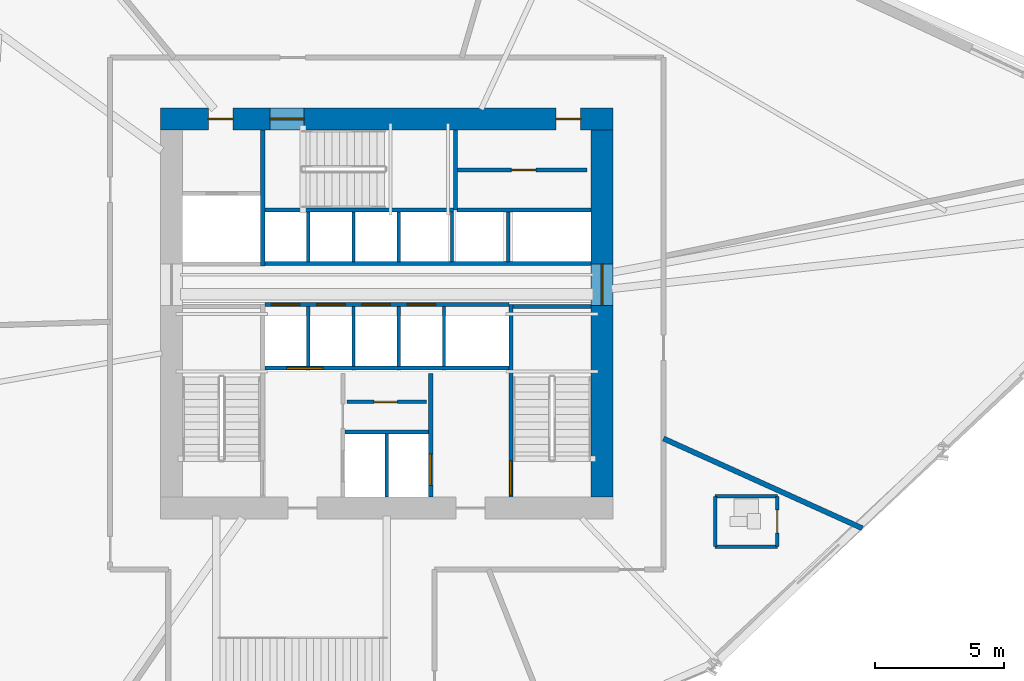
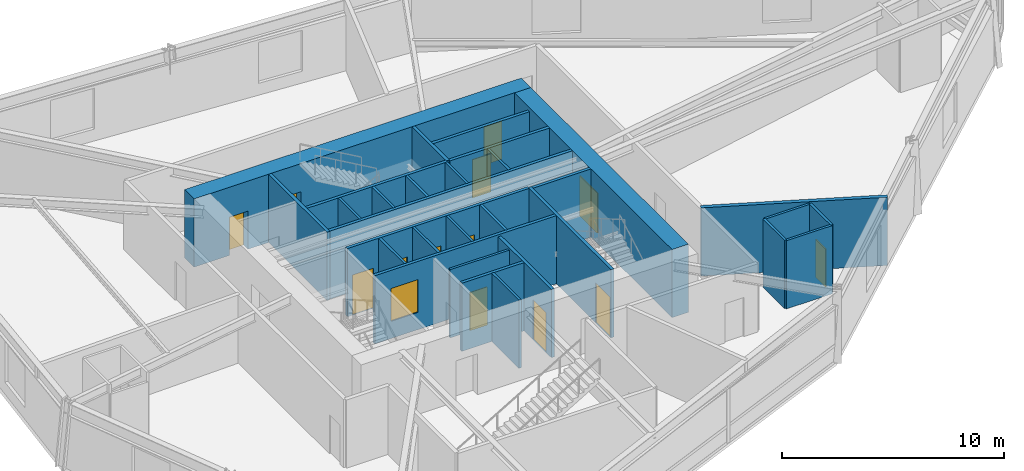
# One storey, part 14 of 19: 30 walls, 13 doors, 1 window, 14 openings.
"""IFC4 building model written with IfcOpenShell, lengths in metres."""

import ifcopenshell
import ifcopenshell.guid

model = None  # the IFC model being written
_history = None  # IfcOwnerHistory: only IFC2X3 demands one
_inside = {}  # id of a spatial element -> (the spatial element, [elements in it])
_under = {}  # id of a project, library or spatial element -> (it, [spatial elements below it])
_declared = {}  # id of a project -> (the project, [libraries it declares])
_typed = {}  # id of a type object -> (the type object, [elements of that type])
_made_of = {}  # id of a material, layer set ... -> (it, [elements and type objects made of it])


def new_model(schema):
    """Start an empty IFC model of exactly this schema.

    Asked for "IFC4X3", IfcOpenShell would pick the latest addendum, in which some entities
    have other attributes; the version numbers below select the first issue.
    IFC2X3 requires an IfcOwnerHistory on every rooted entity: one is made here for all.
    """
    global model, _history
    if schema == "IFC4X3":
        model = ifcopenshell.file(schema_version=(4, 3, 0, 0))
    else:
        model = ifcopenshell.file(schema=schema)
    _inside.clear()
    _under.clear()
    _declared.clear()
    _typed.clear()
    _made_of.clear()
    _history = None
    if model.schema == "IFC2X3":
        org = make("IfcOrganization", Name="unknown")
        user = make(
            "IfcPersonAndOrganization",
            ThePerson=make("IfcPerson", FamilyName="unknown"),
            TheOrganization=org,
        )
        app = make(
            "IfcApplication",
            ApplicationDeveloper=org,
            Version="unknown",
            ApplicationFullName="unknown",
            ApplicationIdentifier="unknown",
        )
        _history = make(
            "IfcOwnerHistory",
            OwningUser=user,
            OwningApplication=app,
            ChangeAction="ADDED",
            CreationDate=0,
        )
    return model


def make(cls, **values):
    """One entity of the class cls with the attributes given. An attribute that is None is left unset."""
    return model.create_entity(
        cls, **{name: value for name, value in values.items() if value is not None}
    )


def rooted(cls, **values):
    """An entity with a GlobalId (a new one), such as an element, a storey or a relation."""
    return make(cls, GlobalId=ifcopenshell.guid.new(), OwnerHistory=_history, **values)


def si_unit(unit_type, name, prefix=None):
    """IfcSIUnit, for example si_unit("LENGTHUNIT", "METRE", prefix="MILLI")."""
    return make("IfcSIUnit", UnitType=unit_type, Prefix=prefix, Name=name)


def assignment(units):
    """IfcUnitAssignment: the units of a project."""
    return None if units is None else make("IfcUnitAssignment", Units=units)


def point(xyz):
    """IfcCartesianPoint."""
    return None if xyz is None else make("IfcCartesianPoint", Coordinates=xyz)


def direction(xyz):
    """IfcDirection."""
    return None if xyz is None else make("IfcDirection", DirectionRatios=xyz)


def frame(location, z_axis=None, x_axis=None):
    """IfcAxis2Placement3D, a coordinate frame: its origin and axes. An axis left out is left unset."""
    return make(
        "IfcAxis2Placement3D",
        Location=point(location),
        Axis=direction(z_axis),
        RefDirection=direction(x_axis),
    )


def frame_2d(location, x_axis=None):
    """IfcAxis2Placement2D, a coordinate frame in the plane: its origin and x axis."""
    return make(
        "IfcAxis2Placement2D", Location=point(location), RefDirection=direction(x_axis)
    )


def origin():
    """The frame at (0, 0, 0) with its axes left unset."""
    return frame((0.0, 0.0, 0.0))


def place(relative_to, where):
    """IfcLocalPlacement: puts the frame where relative to a parent placement (None: the world)."""
    return make(
        "IfcLocalPlacement", PlacementRelTo=relative_to, RelativePlacement=where
    )


def context(
    kind, dimensions, precision=None, world=None, true_north=None, identifier=None
):
    """IfcGeometricRepresentationContext, for example the 3D "Model" context."""
    return make(
        "IfcGeometricRepresentationContext",
        ContextIdentifier=identifier,
        ContextType=kind,
        CoordinateSpaceDimension=dimensions,
        Precision=precision,
        WorldCoordinateSystem=world,
        TrueNorth=true_north,
    )


def subcontext(parent, identifier, kind, view, scale=None):
    """IfcGeometricRepresentationSubContext, for example "Body" below "Model"."""
    return make(
        "IfcGeometricRepresentationSubContext",
        ContextIdentifier=identifier,
        ContextType=kind,
        ParentContext=parent,
        TargetScale=scale,
        TargetView=view,
    )


def project(units=None, contexts=None):
    """IfcProject with its units and contexts."""
    return rooted(
        "IfcProject",
        Name="project",
        RepresentationContexts=contexts,
        UnitsInContext=assignment(units),
    )


def spatial(cls, under=None, at=None, **own):
    """A site, building, storey or space (cls), placed at a placement, below another one or the project."""
    s = rooted(cls, ObjectPlacement=at, **own)
    if under is not None:
        _under.setdefault(under.id(), (under, []))[1].append(s)
    return s


def profile(cls, at=None, kind="AREA", **sizes):
    """A parametric profile (cls). Its sizes go by their IFC names, for example OverallWidth=200.0."""
    return make(cls, ProfileType=kind, Position=at, **sizes)


def rectangle(**sizes):
    """IfcRectangleProfileDef."""
    return profile("IfcRectangleProfileDef", **sizes)


def extrude(swept, where, along, depth):
    """IfcExtrudedAreaSolid: the profile swept, set in the frame where, extruded along a direction by depth."""
    return make(
        "IfcExtrudedAreaSolid",
        SweptArea=swept,
        Position=where,
        ExtrudedDirection=direction(along),
        Depth=depth,
    )


def shape(context_of_items, identifier, shape_type, items):
    """IfcShapeRepresentation: the items that make up one representation, for example the "Body"."""
    return make(
        "IfcShapeRepresentation",
        ContextOfItems=context_of_items,
        RepresentationIdentifier=identifier,
        RepresentationType=shape_type,
        Items=items,
    )


def source(mapping_origin, context_of_items, identifier, shape_type, items):
    """IfcRepresentationMap: a shape defined once, which mapped items show again and again."""
    return make(
        "IfcRepresentationMap",
        MappingOrigin=mapping_origin,
        MappedRepresentation=shape(context_of_items, identifier, shape_type, items),
    )


def transform(
    local_origin,
    x_axis=None,
    y_axis=None,
    z_axis=None,
    scale=None,
    scale2=None,
    scale3=None,
    uniform=True,
):
    """IfcCartesianTransformationOperator3D, or its non-uniform kind. x_axis, y_axis, z_axis: its Axis1, 2, 3."""
    if uniform:
        return make(
            "IfcCartesianTransformationOperator3D",
            Axis1=direction(x_axis),
            Axis2=direction(y_axis),
            LocalOrigin=point(local_origin),
            Scale=scale,
            Axis3=direction(z_axis),
        )
    return make(
        "IfcCartesianTransformationOperator3DnonUniform",
        Axis1=direction(x_axis),
        Axis2=direction(y_axis),
        LocalOrigin=point(local_origin),
        Scale=scale,
        Axis3=direction(z_axis),
        Scale2=scale2,
        Scale3=scale3,
    )


def mapped(mapping_source, mapping_target):
    """IfcMappedItem: shows the shape of a source again, moved by a transform."""
    return make(
        "IfcMappedItem", MappingSource=mapping_source, MappingTarget=mapping_target
    )


def material(Name=None, Category=None):
    """IfcMaterial."""
    return make("IfcMaterial", Name=Name, Category=Category)


def layer(
    of_material, thickness, ventilated=None, Name=None, Category=None, Priority=None
):
    """IfcMaterialLayer: one layer of a wall or slab, of a material (None: an air gap)."""
    return make(
        "IfcMaterialLayer",
        Material=of_material,
        LayerThickness=thickness,
        IsVentilated=ventilated,
        Name=Name,
        Category=Category,
        Priority=Priority,
    )


def layer_set(layers, Name=None):
    """IfcMaterialLayerSet."""
    return make("IfcMaterialLayerSet", MaterialLayers=layers, LayerSetName=Name)


def made_of(thing, what):
    """Note that an element or type object is made of a material, layer set ...; save() writes the relation."""
    if what is not None:
        _made_of.setdefault(what.id(), (what, []))[1].append(thing)
    return thing


def type_object(cls, material=None, **own):
    """A type object (cls), such as IfcWallType, which elements share."""
    return made_of(rooted(cls, **own), material)


def type_shapes(of_type, sources):
    """Give a type object the sources (RepresentationMaps) that its elements show as mapped items."""
    of_type.RepresentationMaps = sources


def element(
    cls,
    number,
    at=None,
    inside=None,
    cuts=None,
    type_object=None,
    material=None,
    context=None,
    identifier="Body",
    shape_type=None,
    held_by="IfcProductDefinitionShape",
    body=None,
    shapes=None,
    **own,
):
    """One element of the class cls, such as IfcWall. Its Tag is "e" and its number.

    at: its placement. inside: the storey or other place that contains it. cuts: it is an
    opening in that element (IfcRelVoidsElement). A single representation is given by context,
    identifier, shape_type and body (its items); several are given by shapes. held_by: the class
    of the entity that holds the representations. save() writes the other relations.
    """
    e = rooted(cls, Tag="e%d" % number, ObjectPlacement=at, **own)
    if body is not None:
        shapes = [shape(context, identifier, shape_type, body)]
    if shapes is not None:
        e.Representation = make(held_by, Representations=shapes)
    if inside is not None:
        _inside.setdefault(inside.id(), (inside, []))[1].append(e)
    if cuts is not None:
        rooted(
            "IfcRelVoidsElement", RelatingBuildingElement=cuts, RelatedOpeningElement=e
        )
    if type_object is not None:
        _typed.setdefault(type_object.id(), (type_object, []))[1].append(e)
    return made_of(e, material)


def fill(opening, filler):
    """IfcRelFillsElement: the door or window that sits in an opening."""
    return rooted(
        "IfcRelFillsElement",
        RelatingOpeningElement=opening,
        RelatedBuildingElement=filler,
    )


def aggregate(whole, parts):
    """IfcRelAggregates: a whole, such as a stair, and the parts it consists of."""
    return rooted("IfcRelAggregates", RelatingObject=whole, RelatedObjects=parts)


def save(model, path):
    """Write the relations noted so far, then the file.

    IfcRelAggregates (storeys below a building ...), IfcRelContainedInSpatialStructure (elements
    in a storey), IfcRelDefinesByType, IfcRelAssociatesMaterial and IfcRelDeclares: one each for
    every whole, place, type object, material and project.
    """
    for whole, parts in _under.values():
        aggregate(whole, parts)
    for where, things in _inside.values():
        rooted(
            "IfcRelContainedInSpatialStructure",
            RelatedElements=things,
            RelatingStructure=where,
        )
    for kind, things in _typed.values():
        rooted("IfcRelDefinesByType", RelatedObjects=things, RelatingType=kind)
    for what, things in _made_of.values():
        rooted("IfcRelAssociatesMaterial", RelatedObjects=things, RelatingMaterial=what)
    for by, libraries in _declared.values():
        rooted("IfcRelDeclares", RelatingContext=by, RelatedDefinitions=libraries)
    model.write(path)


model = new_model("IFC4")

# Units and contexts
model_context = context("Model", 3, precision=1e-05, world=origin(), true_north=direction((0.0, 1.0)))
body_context = subcontext(model_context, "Body", "Model", "MODEL_VIEW")
ifc_project = project(units=[si_unit("LENGTHUNIT", "METRE"), si_unit("AREAUNIT", "SQUARE_METRE"), si_unit("VOLUMEUNIT", "CUBIC_METRE"), si_unit("PLANEANGLEUNIT", "RADIAN"), si_unit("MASSUNIT", "GRAM", prefix="KILO")], contexts=[model_context])

# Site, building, storey
site_placement = place(None, origin())
site = spatial("IfcSite", under=ifc_project, at=site_placement, CompositionType="ELEMENT")
building_placement = place(site_placement, origin())
building = spatial("IfcBuilding", under=site, at=building_placement, Name="Olszyna Solenne Hotel", CompositionType="ELEMENT")
storey_placement = place(building_placement, frame((0.0, 0.0, 71.89990234375)))
storey = spatial("IfcBuildingStorey", under=building, at=storey_placement, Name="L18", CompositionType="ELEMENT", Elevation=71.89990234375)

# Wall, openings, doors
ifc_material_1 = material(Name="Concrete C60/75", Category="concrete")
ifc_layer_1 = layer(ifc_material_1, 0.85009765625, Name="Concrete C60/75")
ifc_layer_set_1 = layer_set([ifc_layer_1], Name="Concrete C60/75")
wall_type_1 = type_object("IfcWallType", Name="WL-CR850", PredefinedType="SHEAR", material=ifc_layer_set_1)
wall_1_placement = place(storey_placement, frame((29.25, 34.125, 0.0), z_axis=(0.0, 0.0, 1.0), x_axis=(1.0, 0.0, 0.0)))
wall_1 = element("IfcWall", 1, at=wall_1_placement, inside=storey, type_object=wall_type_1, Name="Core shear wall WL-CR850 CRW-L18-N", PredefinedType="SHEAR", context=body_context, shape_type="SweptSolid", body=[
    extrude(rectangle(XDim=17.5, YDim=0.85009765625, at=frame_2d((8.75, 0.0))), origin(), (0.0, 0.0, 1.0), 3.75),
])
opening_1_placement = place(wall_1_placement, frame((1.85009765625, 0.0, 0.0)))
opening_1 = element("IfcOpeningElement", 2, at=opening_1_placement, cuts=wall_1, Name="Opening SVD-L18-01", PredefinedType="OPENING", context=body_context, shape_type="SweptSolid", body=[
    extrude(rectangle(XDim=0.949951171875, YDim=2.10009765625, at=frame_2d((0.47509765625, 1.050048828125))), frame((0.0, 0.43505859375, 0.0), z_axis=(0.0, -1.0, 0.0), x_axis=(1.0, 0.0, 0.0)), (0.0, 0.0, 1.0), 0.8701171875),
])
opening_2_placement = place(wall_1_placement, frame((4.22998046875, 0.0, 0.0)))
opening_2 = element("IfcOpeningElement", 3, at=opening_2_placement, cuts=wall_1, Name="Opening STD-L18-03", PredefinedType="OPENING", context=body_context, shape_type="SweptSolid", body=[
    extrude(rectangle(XDim=1.320068359375, YDim=2.199951171875, at=frame_2d((0.66015625, 1.10009765625))), frame((0.0, 0.43505859375, 0.0), z_axis=(0.0, -1.0, 0.0), x_axis=(1.0, 0.0, 0.0)), (0.0, 0.0, 1.0), 0.8701171875),
])
opening_3_placement = place(wall_1_placement, frame((15.300048828125, 0.0, 0.0)))
opening_3 = element("IfcOpeningElement", 4, at=opening_3_placement, cuts=wall_1, Name="Opening SVD-L18-BN", PredefinedType="OPENING", context=body_context, shape_type="SweptSolid", body=[
    extrude(rectangle(XDim=0.949951171875, YDim=2.10009765625, at=frame_2d((0.47509765625, 1.050048828125))), frame((0.0, 0.43505859375, 0.0), z_axis=(0.0, -1.0, 0.0), x_axis=(1.0, 0.0, 0.0)), (0.0, 0.0, 1.0), 0.8701171875),
])
ifc_material_2 = material(Name="Steel S355J2", Category="steel")
door_type_1 = type_object("IfcDoorType", Name="DR-ST1", OperationType="NOTDEFINED", PredefinedType="DOOR", material=ifc_material_2)
shared_shape_1 = source(origin(), body_context, "Body", "SweptSolid", [
    extrude(rectangle(XDim=1.320068359375, YDim=2.199951171875, at=frame_2d((0.66015625, 1.10009765625))), frame((0.0, 0.02490234375, 0.0), z_axis=(0.0, -1.0, 0.0), x_axis=(1.0, 0.0, 0.0)), (0.0, 0.0, 1.0), 0.050048828125),
])
type_shapes(door_type_1, [shared_shape_1])
door_1_placement = place(opening_2_placement, origin())
door_1 = element("IfcDoor", 5, at=door_1_placement, inside=storey, type_object=door_type_1, Name="Pressurised exit stair ST3 fire door STD-L18-03", OperationType="SINGLE_SWING_RIGHT", OverallHeight=2.199951171875, OverallWidth=1.320068359375, PredefinedType="DOOR", context=body_context, shape_type="MappedRepresentation", body=[
    mapped(shared_shape_1, transform((0.0, 0.0, 0.0), x_axis=(1.0, 0.0, 0.0), y_axis=(0.0, 1.0, 0.0), z_axis=(0.0, 0.0, 1.0), scale=1.0)),
])
fill(opening_2, door_1)
door_type_2 = type_object("IfcDoorType", Name="DR-SV1", OperationType="NOTDEFINED", PredefinedType="DOOR", material=ifc_material_2)
shared_shape_2 = source(origin(), body_context, "Body", "SweptSolid", [
    extrude(rectangle(XDim=0.949951171875, YDim=2.10009765625, at=frame_2d((0.47509765625, 1.050048828125))), frame((0.0, 0.02490234375, 0.0), z_axis=(0.0, -1.0, 0.0), x_axis=(1.0, 0.0, 0.0)), (0.0, 0.0, 1.0), 0.050048828125),
])
type_shapes(door_type_2, [shared_shape_2])
door_2_placement = place(opening_1_placement, origin())
door_2 = element("IfcDoor", 6, at=door_2_placement, inside=storey, type_object=door_type_2, Name="Service lift lobby fire door SVD-L18-01", OperationType="SINGLE_SWING_LEFT", OverallHeight=2.10009765625, OverallWidth=0.949951171875, PredefinedType="DOOR", context=body_context, shape_type="MappedRepresentation", body=[
    mapped(shared_shape_2, transform((0.0, 0.0, 0.0), x_axis=(1.0, 0.0, 0.0), y_axis=(0.0, 1.0, 0.0), z_axis=(0.0, 0.0, 1.0), scale=1.0)),
])
fill(opening_1, door_2)
door_3_placement = place(opening_3_placement, origin())
door_3 = element("IfcDoor", 7, at=door_3_placement, inside=storey, type_object=door_type_2, Name="Housekeeping core fire door SVD-L18-BN", OperationType="SINGLE_SWING_LEFT", OverallHeight=2.10009765625, OverallWidth=0.949951171875, PredefinedType="DOOR", context=body_context, shape_type="MappedRepresentation", body=[
    mapped(shared_shape_2, transform((0.0, 0.0, 0.0), x_axis=(1.0, 0.0, 0.0), y_axis=(0.0, 1.0, 0.0), z_axis=(0.0, 0.0, 1.0), scale=1.0)),
])
fill(opening_3, door_3)

# Wall, opening, door
wall_2_placement = place(storey_placement, frame((46.324951171875, 33.699951171875, 0.0), z_axis=(0.0, 0.0, 1.0), x_axis=(0.0, -1.0, 0.0)))
wall_2 = element("IfcWall", 8, at=wall_2_placement, inside=storey, type_object=wall_type_1, Name="Core shear wall WL-CR850 CRW-L18-E", PredefinedType="SHEAR", context=body_context, shape_type="SweptSolid", body=[
    extrude(rectangle(XDim=14.199951171875, YDim=0.85009765625, at=frame_2d((7.10009765625, 0.0))), origin(), (0.0, 0.0, 1.0), 3.75),
])
opening_4_placement = place(wall_2_placement, frame((5.179931640625, 0.0, 0.0)))
opening_4 = element("IfcOpeningElement", 9, at=opening_4_placement, cuts=wall_2, Name="Opening LHD-L18-E", PredefinedType="OPENING", context=body_context, shape_type="SweptSolid", body=[
    extrude(rectangle(XDim=1.60009765625, YDim=2.199951171875, at=frame_2d((0.800048828125, 1.10009765625))), frame((0.0, 0.43505859375, 0.0), z_axis=(0.0, -1.0, 0.0), x_axis=(1.0, 0.0, 0.0)), (0.0, 0.0, 1.0), 0.8701171875),
])
ifc_material_3 = material(Name="Timber hardwood", Category="wood")
door_type_3 = type_object("IfcDoorType", Name="DR-CR1", OperationType="DOUBLE_DOOR_SINGLE_SWING", PredefinedType="DOOR", material=ifc_material_3)
shared_shape_3 = source(origin(), body_context, "Body", "SweptSolid", [
    extrude(rectangle(XDim=1.60009765625, YDim=2.199951171875, at=frame_2d((0.800048828125, 1.10009765625))), frame((0.0, 0.02490234375, 0.0), z_axis=(0.0, -1.0, 0.0), x_axis=(1.0, 0.0, 0.0)), (0.0, 0.0, 1.0), 0.050048828125),
])
type_shapes(door_type_3, [shared_shape_3])
door_4_placement = place(opening_4_placement, origin())
door_4 = element("IfcDoor", 10, at=door_4_placement, inside=storey, type_object=door_type_3, Name="Passenger lift lobby East fire door LHD-L18-E", OperationType="DOUBLE_DOOR_SINGLE_SWING", OverallHeight=2.199951171875, OverallWidth=1.60009765625, PredefinedType="DOOR", context=body_context, shape_type="MappedRepresentation", body=[
    mapped(shared_shape_3, transform((0.0, 0.0, 0.0), x_axis=(1.0, 0.0, 0.0), y_axis=(0.0, 1.0, 0.0), z_axis=(0.0, 0.0, 1.0), scale=1.0)),
])
fill(opening_4, door_4)

# Wall
ifc_material_4 = material(Name="Acoustic gypsum partition", Category="gypsum")
ifc_layer_2 = layer(ifc_material_4, 0.125, Name="Acoustic gypsum partition")
ifc_layer_set_2 = layer_set([ifc_layer_2], Name="Acoustic gypsum partition")
wall_type_2 = type_object("IfcWallType", Name="WL-PT125", PredefinedType="PARTITIONING", material=ifc_layer_set_2)
wall_3_placement = place(storey_placement, frame((38.0, 19.5, 0.0), z_axis=(0.0, 0.0, 1.0), x_axis=(0.0, 1.0, 0.0)))
element("IfcWall", 11, at=wall_3_placement, inside=storey, type_object=wall_type_2, Name="Core shaft compartment wall CW-L18-FFM", PredefinedType="PARTITIONING", context=body_context, shape_type="SweptSolid", body=[
    extrude(rectangle(XDim=2.4599609375, YDim=0.125, at=frame_2d((1.22998046875, 0.0))), origin(), (0.0, 0.0, 1.0), 3.75),
])

# Wall, opening, door
wall_4_placement = place(storey_placement, frame((36.4599609375, 23.18603515625, 0.0), z_axis=(0.0, 0.0, 1.0), x_axis=(1.0, 0.0, 0.0)))
wall_4 = element("IfcWall", 12, at=wall_4_placement, inside=storey, type_object=wall_type_2, Name="Core shaft compartment wall CW-L18-SC2", PredefinedType="PARTITIONING", context=body_context, shape_type="SweptSolid", body=[
    extrude(rectangle(XDim=3.080078125, YDim=0.125, at=frame_2d((1.5400390625, 0.0))), origin(), (0.0, 0.0, 1.0), 3.75),
])
opening_5_placement = place(wall_4_placement, frame((1.050048828125, 0.0, 0.0)))
opening_5 = element("IfcOpeningElement", 13, at=opening_5_placement, cuts=wall_4, Name="Opening SVD-L18-SC2", PredefinedType="OPENING", context=body_context, shape_type="SweptSolid", body=[
    extrude(rectangle(XDim=0.89990234375, YDim=2.10009765625, at=frame_2d((0.449951171875, 1.050048828125))), frame((0.0, 0.072509765625, 0.0), z_axis=(0.0, -1.0, 0.0), x_axis=(1.0, 0.0, 0.0)), (0.0, 0.0, 1.0), 0.14501953125),
])
door_type_4 = type_object("IfcDoorType", Name="DR-WC1", OperationType="NOTDEFINED", PredefinedType="DOOR", material=ifc_material_3)
shared_shape_4 = source(origin(), body_context, "Body", "SweptSolid", [
    extrude(rectangle(XDim=0.89990234375, YDim=2.10009765625, at=frame_2d((0.449951171875, 1.050048828125))), frame((0.0, 0.02490234375, 0.0), z_axis=(0.0, -1.0, 0.0), x_axis=(1.0, 0.0, 0.0)), (0.0, 0.0, 1.0), 0.050048828125),
])
type_shapes(door_type_4, [shared_shape_4])
door_5_placement = place(opening_5_placement, origin())
door_5 = element("IfcDoor", 14, at=door_5_placement, inside=storey, type_object=door_type_4, Name="Butler pantry door SVD-L18-SC2", OperationType="SINGLE_SWING_RIGHT", OverallHeight=2.10009765625, OverallWidth=0.89990234375, PredefinedType="DOOR", context=body_context, shape_type="MappedRepresentation", body=[
    mapped(shared_shape_4, transform((0.0, 0.0, 0.0), x_axis=(1.0, 0.0, 0.0), y_axis=(0.0, 1.0, 0.0), z_axis=(0.0, 0.0, 1.0), scale=1.0)),
])
fill(opening_5, door_5)

# Walls
for number, where, z_axis, x_axis, name in (
    (15, (34.965087890625, 24.56005859375, 0.0), (0.0, 0.0, 1.0), (0.0, 1.0, 0.0), "Core shaft compartment wall CW-L18-DIVS349"),
    (16, (36.715087890625, 24.56005859375, 0.0), (0.0, 0.0, 1.0), (0.0, 1.0, 0.0), "Core shaft compartment wall CW-L18-DIVS367"),
    (17, (38.465087890625, 24.56005859375, 0.0), (0.0, 0.0, 1.0), (0.0, 1.0, 0.0), "Core shaft compartment wall CW-L18-DIVS384"),
    (18, (40.215087890625, 24.56005859375, 0.0), (0.0, 0.0, 1.0), (0.0, 1.0, 0.0), "Core shaft compartment wall CW-L18-DIVS402"),
):
    element("IfcWall", number, at=place(storey_placement, frame(where, z_axis=z_axis, x_axis=x_axis)), inside=storey, type_object=wall_type_2, Name=name, PredefinedType="PARTITIONING", context=body_context, shape_type="SweptSolid", body=[
        extrude(rectangle(XDim=2.31005859375, YDim=0.125, at=frame_2d((1.155029296875, 0.0))), origin(), (0.0, 0.0, 1.0), 3.75),
    ])
for number, where, z_axis, x_axis, name in (
    (19, (34.965087890625, 28.60009765625, 0.0), (0.0, 0.0, 1.0), (0.0, 1.0, 0.0), "Core shaft compartment wall CW-L18-DIVN349"),
    (20, (36.715087890625, 28.60009765625, 0.0), (0.0, 0.0, 1.0), (0.0, 1.0, 0.0), "Core shaft compartment wall CW-L18-DIVN367"),
    (21, (38.465087890625, 28.60009765625, 0.0), (0.0, 0.0, 1.0), (0.0, 1.0, 0.0), "Core shaft compartment wall CW-L18-DIVN384"),
    (22, (40.52490234375, 28.60009765625, 0.0), (0.0, 0.0, 1.0), (0.0, 1.0, 0.0), "Core shaft compartment wall CW-L18-DIVEX405"),
    (23, (42.699951171875, 28.60009765625, 0.0), (0.0, 0.0, 1.0), (0.0, 1.0, 0.0), "Core shaft compartment wall CW-L18-DIVEX427"),
):
    element("IfcWall", number, at=place(storey_placement, frame(where, z_axis=z_axis, x_axis=x_axis)), inside=storey, type_object=wall_type_2, Name=name, PredefinedType="PARTITIONING", context=body_context, shape_type="SweptSolid", body=[
        extrude(rectangle(XDim=1.919921875, YDim=0.125, at=frame_2d((0.9599609375, 0.0))), origin(), (0.0, 0.0, 1.0), 3.75),
    ])

# Wall, opening, door
wall_5_placement = place(storey_placement, frame((53.10400390625, 17.583984375, 0.0), z_axis=(0.0, 0.0, 1.0), x_axis=(0.0, 1.0, 0.0)))
wall_5 = element("IfcWall", 24, at=wall_5_placement, inside=storey, type_object=wall_type_2, Name="Interior acoustic partition WL-PT125 PW-L18-1035", PredefinedType="PARTITIONING", context=body_context, shape_type="SweptSolid", body=[
    extrude(rectangle(XDim=1.949951171875, YDim=0.125, at=frame_2d((0.97509765625, 0.0))), origin(), (0.0, 0.0, 1.0), 3.75),
])
opening_6_placement = place(wall_5_placement, frame((0.52490234375, 0.0, 0.0)))
opening_6 = element("IfcOpeningElement", 25, at=opening_6_placement, cuts=wall_5, Name="Opening DR-L18-0236", PredefinedType="OPENING", context=body_context, shape_type="SweptSolid", body=[
    extrude(rectangle(XDim=0.89990234375, YDim=2.10009765625, at=frame_2d((0.449951171875, 1.050048828125))), frame((0.0, 0.072509765625, 0.0), z_axis=(0.0, -1.0, 0.0), x_axis=(1.0, 0.0, 0.0)), (0.0, 0.0, 1.0), 0.14501953125),
])
door_6_placement = place(opening_6_placement, origin())
door_6 = element("IfcDoor", 26, at=door_6_placement, inside=storey, type_object=door_type_4, Name="En-Suite Bathroom Door DR-L18-0236", OperationType="SINGLE_SWING_LEFT", OverallHeight=2.10009765625, OverallWidth=0.89990234375, PredefinedType="DOOR", context=body_context, shape_type="MappedRepresentation", body=[
    mapped(shared_shape_4, transform((0.0, 0.0, 0.0), x_axis=(1.0, 0.0, 0.0), y_axis=(0.0, 1.0, 0.0), z_axis=(0.0, 0.0, 1.0), scale=1.0)),
])
fill(opening_6, door_6)

# Walls
wall_6_placement = place(storey_placement, frame((53.10400390625, 19.533935546875, 0.0), z_axis=(0.0, 0.0, 1.0), x_axis=(-1.0, 0.0, 0.0)))
element("IfcWall", 27, at=wall_6_placement, inside=storey, type_object=wall_type_2, Name="Interior acoustic partition WL-PT125 PW-L18-1036", PredefinedType="PARTITIONING", context=body_context, shape_type="SweptSolid", body=[
    extrude(rectangle(XDim=2.39990234375, YDim=0.125, at=frame_2d((1.199951171875, 0.0))), origin(), (0.0, 0.0, 1.0), 3.75),
])
wall_7_placement = place(storey_placement, frame((50.7041015625, 19.533935546875, 0.0), z_axis=(0.0, 0.0, 1.0), x_axis=(0.0, -1.0, 0.0)))
element("IfcWall", 28, at=wall_7_placement, inside=storey, type_object=wall_type_2, Name="Interior acoustic partition WL-PT125 PW-L18-1037", PredefinedType="PARTITIONING", context=body_context, shape_type="SweptSolid", body=[
    extrude(rectangle(XDim=1.949951171875, YDim=0.125, at=frame_2d((0.97509765625, 0.0))), origin(), (0.0, 0.0, 1.0), 3.75),
])
wall_8_placement = place(storey_placement, frame((50.7041015625, 17.583984375, 0.0), z_axis=(0.0, 0.0, 1.0), x_axis=(1.0, 0.0, 0.0)))
element("IfcWall", 29, at=wall_8_placement, inside=storey, type_object=wall_type_2, Name="Interior acoustic partition WL-PT125 PW-L18-1038", PredefinedType="PARTITIONING", context=body_context, shape_type="SweptSolid", body=[
    extrude(rectangle(XDim=2.39990234375, YDim=0.125, at=frame_2d((1.199951171875, 0.0))), origin(), (0.0, 0.0, 1.0), 3.75),
])

# Wall, opening, door
ifc_layer_3 = layer(ifc_material_4, 0.159912109375, Name="Acoustic gypsum partition")
ifc_layer_set_3 = layer_set([ifc_layer_3], Name="Acoustic gypsum partition")
wall_type_3 = type_object("IfcWallType", Name="WL-PT160", PredefinedType="PARTITIONING", material=ifc_layer_set_3)
wall_9_placement = place(storey_placement, frame((42.800048828125, 26.9599609375, 0.0), z_axis=(0.0, 0.0, 1.0), x_axis=(0.0, -1.0, 0.0)))
wall_9 = element("IfcWall", 30, at=wall_9_placement, inside=storey, type_object=wall_type_3, Name="Core shaft compartment wall CW-L18-ST2W", PredefinedType="PARTITIONING", context=body_context, shape_type="SweptSolid", body=[
    extrude(rectangle(XDim=7.4599609375, YDim=0.159912109375, at=frame_2d((3.72998046875, 0.0))), origin(), (0.0, 0.0, 1.0), 3.75),
])
opening_7_placement = place(wall_9_placement, frame((6.06005859375, 0.0, 0.0)))
opening_7 = element("IfcOpeningElement", 31, at=opening_7_placement, cuts=wall_9, Name="Opening STD-L18-02", PredefinedType="OPENING", context=body_context, shape_type="SweptSolid", body=[
    extrude(rectangle(XDim=1.320068359375, YDim=2.199951171875, at=frame_2d((0.66015625, 1.10009765625))), frame((0.0, 0.08984375, 0.0), z_axis=(0.0, -1.0, 0.0), x_axis=(1.0, 0.0, 0.0)), (0.0, 0.0, 1.0), 0.179931640625),
])
door_7_placement = place(opening_7_placement, origin())
door_7 = element("IfcDoor", 32, at=door_7_placement, inside=storey, type_object=door_type_1, Name="Pressurised exit stair ST2 fire door STD-L18-02", OperationType="SINGLE_SWING_RIGHT", OverallHeight=2.199951171875, OverallWidth=1.320068359375, PredefinedType="DOOR", context=body_context, shape_type="MappedRepresentation", body=[
    mapped(shared_shape_1, transform((0.0, 0.0, 0.0), x_axis=(1.0, 0.0, 0.0), y_axis=(0.0, 1.0, 0.0), z_axis=(0.0, 0.0, 1.0), scale=1.0)),
])
fill(opening_7, door_7)

# Walls
wall_10_placement = place(storey_placement, frame((42.8798828125, 26.8798828125, 0.0), z_axis=(0.0, 0.0, 1.0), x_axis=(1.0, 0.0, 0.0)))
element("IfcWall", 33, at=wall_10_placement, inside=storey, type_object=wall_type_3, Name="Core shaft compartment wall CW-L18-ST2N", PredefinedType="PARTITIONING", context=body_context, shape_type="SweptSolid", body=[
    extrude(rectangle(XDim=3.02001953125, YDim=0.159912109375, at=frame_2d((1.510009765625, 0.0))), origin(), (0.0, 0.0, 1.0), 3.75),
])
wall_11_placement = place(storey_placement, frame((33.280029296875, 30.60009765625, 0.0), z_axis=(0.0, 0.0, 1.0), x_axis=(1.0, 0.0, 0.0)))
element("IfcWall", 34, at=wall_11_placement, inside=storey, type_object=wall_type_3, Name="Core shaft compartment wall CW-L18-ST3S", PredefinedType="PARTITIONING", context=body_context, shape_type="SweptSolid", body=[
    extrude(rectangle(XDim=7.300048828125, YDim=0.159912109375, at=frame_2d((3.64990234375, 0.0))), origin(), (0.0, 0.0, 1.0), 3.75),
])
wall_12_placement = place(storey_placement, frame((40.659912109375, 30.60009765625, 0.0), z_axis=(0.0, 0.0, 1.0), x_axis=(0.0, 1.0, 0.0)))
element("IfcWall", 35, at=wall_12_placement, inside=storey, type_object=wall_type_3, Name="Core shaft compartment wall CW-L18-ST3E", PredefinedType="PARTITIONING", context=body_context, shape_type="SweptSolid", body=[
    extrude(rectangle(XDim=3.099853515625, YDim=0.159912109375, at=frame_2d((1.5498046875, 0.0))), origin(), (0.0, 0.0, 1.0), 3.75),
])

# Wall, opening, door
wall_13_placement = place(storey_placement, frame((39.699951171875, 24.280029296875, 0.0), z_axis=(0.0, 0.0, 1.0), x_axis=(0.0, -1.0, 0.0)))
wall_13 = element("IfcWall", 36, at=wall_13_placement, inside=storey, type_object=wall_type_3, Name="Core shaft compartment wall CW-L18-FF2E", PredefinedType="PARTITIONING", context=body_context, shape_type="SweptSolid", body=[
    extrude(rectangle(XDim=4.780029296875, YDim=0.159912109375, at=frame_2d((2.39013671875, 0.0))), origin(), (0.0, 0.0, 1.0), 3.75),
])
opening_8_placement = place(wall_13_placement, frame((3.1201171875, 0.0, 0.0)))
opening_8 = element("IfcOpeningElement", 37, at=opening_8_placement, cuts=wall_13, Name="Opening LD-L18-FF2", PredefinedType="OPENING", context=body_context, shape_type="SweptSolid", body=[
    extrude(rectangle(XDim=1.199951171875, YDim=2.199951171875, at=frame_2d((0.60009765625, 1.10009765625))), frame((0.0, 0.08984375, 0.0), z_axis=(0.0, -1.0, 0.0), x_axis=(1.0, 0.0, 0.0)), (0.0, 0.0, 1.0), 0.179931640625),
])
door_type_5 = type_object("IfcDoorType", Name="LD-FF1", OperationType="DOUBLE_DOOR_SLIDING", PredefinedType="DOOR", material=ifc_material_2)
shared_shape_5 = source(origin(), body_context, "Body", "SweptSolid", [
    extrude(rectangle(XDim=1.199951171875, YDim=2.199951171875, at=frame_2d((0.60009765625, 1.10009765625))), frame((0.0, 0.02490234375, 0.0), z_axis=(0.0, -1.0, 0.0), x_axis=(1.0, 0.0, 0.0)), (0.0, 0.0, 1.0), 0.050048828125),
])
type_shapes(door_type_5, [shared_shape_5])
door_8_placement = place(opening_8_placement, origin())
door_8 = element("IfcDoor", 38, at=door_8_placement, inside=storey, type_object=door_type_5, Name="Firefighters lift FF2 sliding landing door LD-L18-FF2", OperationType="DOUBLE_DOOR_SLIDING", OverallHeight=2.199951171875, OverallWidth=1.199951171875, PredefinedType="DOOR", context=body_context, shape_type="MappedRepresentation", body=[
    mapped(shared_shape_5, transform((0.0, 0.0, 0.0), x_axis=(1.0, 0.0, 0.0), y_axis=(0.0, 1.0, 0.0), z_axis=(0.0, 0.0, 1.0), scale=1.0)),
])
fill(opening_8, door_8)

# Wall
wall_14_placement = place(storey_placement, frame((36.3798828125, 22.02001953125, 0.0), z_axis=(0.0, 0.0, 1.0), x_axis=(1.0, 0.0, 0.0)))
element("IfcWall", 39, at=wall_14_placement, inside=storey, type_object=wall_type_3, Name="Core shaft compartment wall CW-L18-FFN", PredefinedType="PARTITIONING", context=body_context, shape_type="SweptSolid", body=[
    extrude(rectangle(XDim=3.240234375, YDim=0.159912109375, at=frame_2d((1.6201171875, 0.0))), origin(), (0.0, 0.0, 1.0), 3.75),
])

# Wall, opening, window
wall_15_placement = place(storey_placement, frame((33.280029296875, 24.489990234375, 0.0), z_axis=(0.0, 0.0, 1.0), x_axis=(1.0, 0.0, 0.0)))
wall_15 = element("IfcWall", 40, at=wall_15_placement, inside=storey, type_object=wall_type_3, Name="Core shaft compartment wall CW-L18-FFBN", PredefinedType="PARTITIONING", context=body_context, shape_type="SweptSolid", body=[
    extrude(rectangle(XDim=9.43994140625, YDim=0.159912109375, at=frame_2d((4.719970703125, 0.0))), origin(), (0.0, 0.0, 1.0), 3.75),
])
opening_9_placement = place(wall_15_placement, frame((0.85009765625, 0.0, 0.949951171875)))
opening_9 = element("IfcOpeningElement", 41, at=opening_9_placement, cuts=wall_15, Name="Opening WNI-L18-01", PredefinedType="OPENING", context=body_context, shape_type="SweptSolid", body=[
    extrude(rectangle(XDim=1.39990234375, YDim=1.800048828125, at=frame_2d((0.699951171875, 0.89990234375))), frame((0.0, 0.08984375, 0.0), z_axis=(0.0, -1.0, 0.0), x_axis=(1.0, 0.0, 0.0)), (0.0, 0.0, 1.0), 0.179931640625),
])
ifc_material_5 = material(Name="Low-E triple glazing", Category="glass")
window_type = type_object("IfcWindowType", Name="WN-IN1", PartitioningType="SINGLE_PANEL", PredefinedType="WINDOW", material=ifc_material_5)
shared_shape_6 = source(origin(), body_context, "Body", "SweptSolid", [
    extrude(rectangle(XDim=1.39990234375, YDim=1.800048828125, at=frame_2d((0.699951171875, 0.89990234375))), frame((0.0, 0.030029296875, 0.0), z_axis=(0.0, -1.0, 0.0), x_axis=(1.0, 0.0, 0.0)), (0.0, 0.0, 1.0), 0.06005859375),
])
type_shapes(window_type, [shared_shape_6])
window_placement = place(opening_9_placement, origin())
window = element("IfcWindow", 42, at=window_placement, inside=storey, type_object=window_type, Name="Borrowed-light acoustic screen window WNI-L18-01", OverallHeight=1.800048828125, OverallWidth=1.39990234375, PartitioningType="SINGLE_PANEL", PredefinedType="WINDOW", context=body_context, shape_type="MappedRepresentation", body=[
    mapped(shared_shape_6, transform((0.0, 0.0, 0.0), x_axis=(1.0, 0.0, 0.0), y_axis=(0.0, 1.0, 0.0), z_axis=(0.0, 0.0, 1.0), scale=1.0)),
])
fill(opening_9, window)

# Wall
wall_16_placement = place(storey_placement, frame((33.199951171875, 28.43994140625, 0.0), z_axis=(0.0, 0.0, 1.0), x_axis=(0.0, 1.0, 0.0)))
element("IfcWall", 43, at=wall_16_placement, inside=storey, type_object=wall_type_3, Name="Core shaft compartment wall CW-L18-SV1E", PredefinedType="PARTITIONING", context=body_context, shape_type="SweptSolid", body=[
    extrude(rectangle(XDim=5.260009765625, YDim=0.159912109375, at=frame_2d((2.6298828125, 0.0))), origin(), (0.0, 0.0, 1.0), 3.75),
])

# Wall, openings, doors
wall_17_placement = place(storey_placement, frame((33.280029296875, 26.949951171875, 0.0), z_axis=(0.0, 0.0, 1.0), x_axis=(1.0, 0.0, 0.0)))
wall_17 = element("IfcWall", 44, at=wall_17_placement, inside=storey, type_object=wall_type_3, Name="Core shaft compartment wall CW-L18-LRS", PredefinedType="PARTITIONING", context=body_context, shape_type="SweptSolid", body=[
    extrude(rectangle(XDim=9.43994140625, YDim=0.159912109375, at=frame_2d((4.719970703125, 0.0))), origin(), (0.0, 0.0, 1.0), 3.75),
])
opening_10_placement = place(wall_17_placement, frame((0.260009765625, 0.0, 0.0)))
opening_10 = element("IfcOpeningElement", 45, at=opening_10_placement, cuts=wall_17, Name="Opening LD-L18-PL1", PredefinedType="OPENING", context=body_context, shape_type="SweptSolid", body=[
    extrude(rectangle(XDim=1.10009765625, YDim=2.199951171875, at=frame_2d((0.550048828125, 1.10009765625))), frame((0.0, 0.08984375, 0.0), z_axis=(0.0, -1.0, 0.0), x_axis=(1.0, 0.0, 0.0)), (0.0, 0.0, 1.0), 0.179931640625),
])
opening_11_placement = place(wall_17_placement, frame((2.010009765625, 0.0, 0.0)))
opening_11 = element("IfcOpeningElement", 46, at=opening_11_placement, cuts=wall_17, Name="Opening LD-L18-PL2", PredefinedType="OPENING", context=body_context, shape_type="SweptSolid", body=[
    extrude(rectangle(XDim=1.10009765625, YDim=2.199951171875, at=frame_2d((0.550048828125, 1.10009765625))), frame((0.0, 0.08984375, 0.0), z_axis=(0.0, -1.0, 0.0), x_axis=(1.0, 0.0, 0.0)), (0.0, 0.0, 1.0), 0.179931640625),
])
opening_12_placement = place(wall_17_placement, frame((3.760009765625, 0.0, 0.0)))
opening_12 = element("IfcOpeningElement", 47, at=opening_12_placement, cuts=wall_17, Name="Opening LD-L18-PL3", PredefinedType="OPENING", context=body_context, shape_type="SweptSolid", body=[
    extrude(rectangle(XDim=1.10009765625, YDim=2.199951171875, at=frame_2d((0.550048828125, 1.10009765625))), frame((0.0, 0.08984375, 0.0), z_axis=(0.0, -1.0, 0.0), x_axis=(1.0, 0.0, 0.0)), (0.0, 0.0, 1.0), 0.179931640625),
])
opening_13_placement = place(wall_17_placement, frame((5.510009765625, 0.0, 0.0)))
opening_13 = element("IfcOpeningElement", 48, at=opening_13_placement, cuts=wall_17, Name="Opening LD-L18-PL4", PredefinedType="OPENING", context=body_context, shape_type="SweptSolid", body=[
    extrude(rectangle(XDim=1.10009765625, YDim=2.199951171875, at=frame_2d((0.550048828125, 1.10009765625))), frame((0.0, 0.08984375, 0.0), z_axis=(0.0, -1.0, 0.0), x_axis=(1.0, 0.0, 0.0)), (0.0, 0.0, 1.0), 0.179931640625),
])
door_type_6 = type_object("IfcDoorType", Name="LD-P1", OperationType="DOUBLE_DOOR_SLIDING", PredefinedType="DOOR", material=ifc_material_2)
shared_shape_7 = source(origin(), body_context, "Body", "SweptSolid", [
    extrude(rectangle(XDim=1.10009765625, YDim=2.199951171875, at=frame_2d((0.550048828125, 1.10009765625))), frame((0.0, 0.02490234375, 0.0), z_axis=(0.0, -1.0, 0.0), x_axis=(1.0, 0.0, 0.0)), (0.0, 0.0, 1.0), 0.050048828125),
])
type_shapes(door_type_6, [shared_shape_7])
door_9_placement = place(opening_10_placement, origin())
door_9 = element("IfcDoor", 49, at=door_9_placement, inside=storey, type_object=door_type_6, Name="Passenger lift PL1 sliding landing door LD-L18-PL1", OperationType="DOUBLE_DOOR_SLIDING", OverallHeight=2.199951171875, OverallWidth=1.10009765625, PredefinedType="DOOR", context=body_context, shape_type="MappedRepresentation", body=[
    mapped(shared_shape_7, transform((0.0, 0.0, 0.0), x_axis=(1.0, 0.0, 0.0), y_axis=(0.0, 1.0, 0.0), z_axis=(0.0, 0.0, 1.0), scale=1.0)),
])
fill(opening_10, door_9)
door_10_placement = place(opening_11_placement, origin())
door_10 = element("IfcDoor", 50, at=door_10_placement, inside=storey, type_object=door_type_6, Name="Passenger lift PL2 sliding landing door LD-L18-PL2", OperationType="DOUBLE_DOOR_SLIDING", OverallHeight=2.199951171875, OverallWidth=1.10009765625, PredefinedType="DOOR", context=body_context, shape_type="MappedRepresentation", body=[
    mapped(shared_shape_7, transform((0.0, 0.0, 0.0), x_axis=(1.0, 0.0, 0.0), y_axis=(0.0, 1.0, 0.0), z_axis=(0.0, 0.0, 1.0), scale=1.0)),
])
fill(opening_11, door_10)
door_11_placement = place(opening_12_placement, origin())
door_11 = element("IfcDoor", 51, at=door_11_placement, inside=storey, type_object=door_type_6, Name="Passenger lift PL3 sliding landing door LD-L18-PL3", OperationType="DOUBLE_DOOR_SLIDING", OverallHeight=2.199951171875, OverallWidth=1.10009765625, PredefinedType="DOOR", context=body_context, shape_type="MappedRepresentation", body=[
    mapped(shared_shape_7, transform((0.0, 0.0, 0.0), x_axis=(1.0, 0.0, 0.0), y_axis=(0.0, 1.0, 0.0), z_axis=(0.0, 0.0, 1.0), scale=1.0)),
])
fill(opening_12, door_11)
door_12_placement = place(opening_13_placement, origin())
door_12 = element("IfcDoor", 52, at=door_12_placement, inside=storey, type_object=door_type_6, Name="Passenger lift PL4 sliding landing door LD-L18-PL4", OperationType="DOUBLE_DOOR_SLIDING", OverallHeight=2.199951171875, OverallWidth=1.10009765625, PredefinedType="DOOR", context=body_context, shape_type="MappedRepresentation", body=[
    mapped(shared_shape_7, transform((0.0, 0.0, 0.0), x_axis=(1.0, 0.0, 0.0), y_axis=(0.0, 1.0, 0.0), z_axis=(0.0, 0.0, 1.0), scale=1.0)),
])
fill(opening_13, door_12)

# Walls
wall_18_placement = place(storey_placement, frame((33.280029296875, 28.5400390625, 0.0), z_axis=(0.0, 0.0, 1.0), x_axis=(1.0, 0.0, 0.0)))
element("IfcWall", 53, at=wall_18_placement, inside=storey, type_object=wall_type_3, Name="Core shaft compartment wall CW-L18-LRN", PredefinedType="PARTITIONING", context=body_context, shape_type="SweptSolid", body=[
    extrude(rectangle(XDim=12.619873046875, YDim=0.159912109375, at=frame_2d((6.31005859375, 0.0))), origin(), (0.0, 0.0, 1.0), 3.75),
])
wall_19_placement = place(storey_placement, frame((40.719970703125, 30.60009765625, 0.0), z_axis=(0.0, 0.0, 1.0), x_axis=(1.0, 0.0, 0.0)))
element("IfcWall", 54, at=wall_19_placement, inside=storey, type_object=wall_type_3, Name="Core shaft compartment wall CW-L18-LRNTOP", PredefinedType="PARTITIONING", context=body_context, shape_type="SweptSolid", body=[
    extrude(rectangle(XDim=5.179931640625, YDim=0.159912109375, at=frame_2d((2.58984375, 0.0))), origin(), (0.0, 0.0, 1.0), 3.75),
])

# Wall, opening, door
wall_20_placement = place(storey_placement, frame((40.719970703125, 32.157958984375, 0.0), z_axis=(0.0, 0.0, 1.0), x_axis=(1.0, 0.0, 0.0)))
wall_20 = element("IfcWall", 55, at=wall_20_placement, inside=storey, type_object=wall_type_3, Name="Core shaft compartment wall CW-L18-BOH2", PredefinedType="PARTITIONING", context=body_context, shape_type="SweptSolid", body=[
    extrude(rectangle(XDim=5.030029296875, YDim=0.159912109375, at=frame_2d((2.51513671875, 0.0))), origin(), (0.0, 0.0, 1.0), 3.75),
])
opening_14_placement = place(wall_20_placement, frame((2.10009765625, 0.0, 0.0)))
opening_14 = element("IfcOpeningElement", 56, at=opening_14_placement, cuts=wall_20, Name="Opening SVD-L18-BI2", PredefinedType="OPENING", context=body_context, shape_type="SweptSolid", body=[
    extrude(rectangle(XDim=0.949951171875, YDim=2.10009765625, at=frame_2d((0.47509765625, 1.050048828125))), frame((0.0, 0.08984375, 0.0), z_axis=(0.0, -1.0, 0.0), x_axis=(1.0, 0.0, 0.0)), (0.0, 0.0, 1.0), 0.179931640625),
])
door_13_placement = place(opening_14_placement, origin())
door_13 = element("IfcDoor", 57, at=door_13_placement, inside=storey, type_object=door_type_2, Name="BOH inter-room fire door SVD-L18-BI2", OperationType="SINGLE_SWING_RIGHT", OverallHeight=2.10009765625, OverallWidth=0.949951171875, PredefinedType="DOOR", context=body_context, shape_type="MappedRepresentation", body=[
    mapped(shared_shape_2, transform((0.0, 0.0, 0.0), x_axis=(1.0, 0.0, 0.0), y_axis=(0.0, 1.0, 0.0), z_axis=(0.0, 0.0, 1.0), scale=1.0)),
])
fill(opening_14, door_13)

# Wall
ifc_layer_4 = layer(ifc_material_4, 0.199951171875, Name="Acoustic gypsum partition")
ifc_layer_set_4 = layer_set([ifc_layer_4], Name="Acoustic gypsum partition")
wall_type_4 = type_object("IfcWallType", Name="WL-PT200", PredefinedType="PARTITIONING", material=ifc_layer_set_4)
wall_21_placement = place(storey_placement, frame((48.699951171875, 21.768798828125, 0.0), z_axis=(0.0, 0.0, 1.0), x_axis=(0.911403489645, -0.41151388684, 0.0)))
element("IfcWall", 58, at=wall_21_placement, inside=storey, type_object=wall_type_4, Name="Interior acoustic partition WL-PT200 PW-L18-1030", PredefinedType="PARTITIONING", context=body_context, shape_type="SweptSolid", body=[
    extrude(rectangle(XDim=8.4423828125, YDim=0.199951171875, at=frame_2d((4.22119140625, 0.0))), origin(), (0.0, 0.0, 1.0), 3.75),
])

save(model, "model.ifc")
